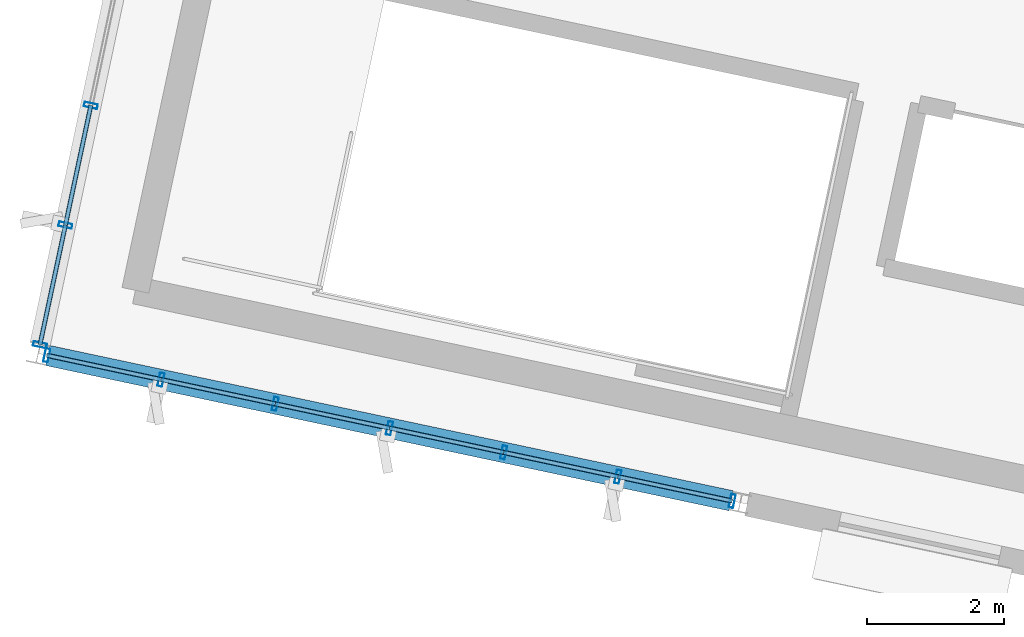
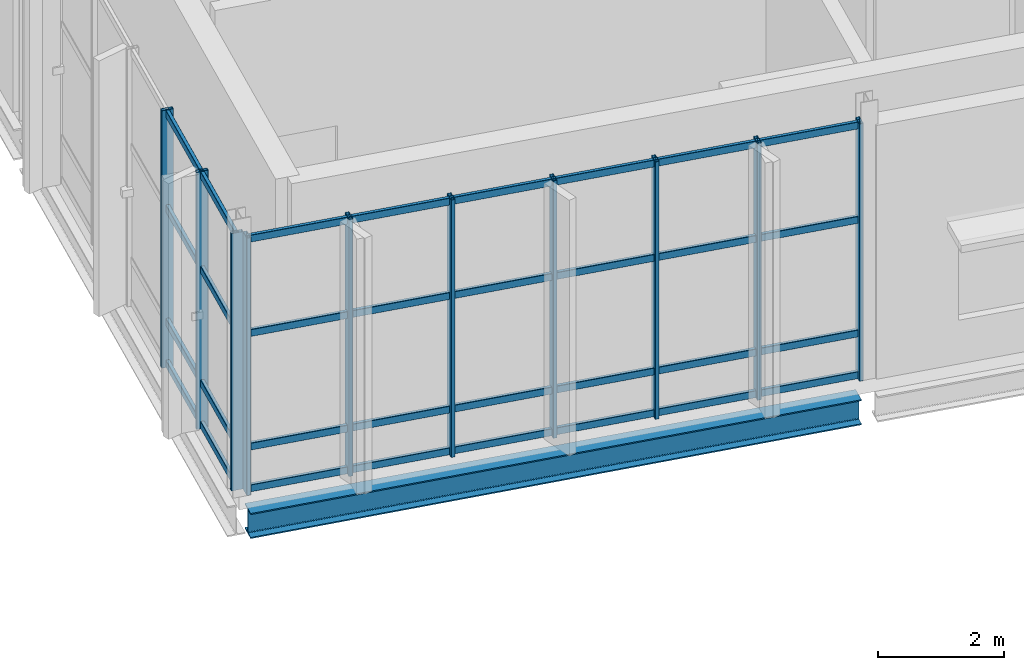
# One storey, part 21 of 176: 42 members, 1 beam, 2 elements without a shape of their own.
"""IFC4 building model written with IfcOpenShell, lengths in metres."""

from ifc_helpers import new_model, si_unit, direction, frame, origin, origin_2d, place, context, subcontext, project, spatial, hollow_rectangle, i_section, extrude, material, layer, layer_set, material_profile, profile_set, type_object, element, aggregate, save


model = new_model("IFC4")

# Units and contexts
model_context = context("Model", 3, precision=1e-05, world=origin(), true_north=direction((0.0, 1.0)))
body_context = subcontext(model_context, "Body", "Model", "MODEL_VIEW")
ifc_project = project(units=[si_unit("LENGTHUNIT", "METRE"), si_unit("AREAUNIT", "SQUARE_METRE"), si_unit("VOLUMEUNIT", "CUBIC_METRE"), si_unit("PLANEANGLEUNIT", "RADIAN"), si_unit("MASSUNIT", "GRAM", prefix="KILO")], contexts=[model_context])

# Site, building, storey
site_placement = place(None, origin())
site = spatial("IfcSite", under=ifc_project, at=site_placement, CompositionType="ELEMENT")
building_placement = place(site_placement, origin())
building = spatial("IfcBuilding", under=site, at=building_placement, Name="Khorjan Park Terminus", CompositionType="ELEMENT")
storey_placement = place(building_placement, frame((0.0, 0.0, 6.0)))
storey = spatial("IfcBuildingStorey", under=building, at=storey_placement, Name="L01", CompositionType="ELEMENT", Elevation=6.0)

# Beam
ifc_material_1 = material(Name="Steel S355", Category="steel")
ifc_material_profile_1 = material_profile(ifc_material_1, i_section(OverallWidth=0.3, OverallDepth=0.49, WebThickness=0.012, FlangeThickness=0.023, FilletRadius=0.027, at=origin_2d()), Name="HEA 500")
ifc_profile_set_1 = profile_set([ifc_material_profile_1], Name="Steel S355")
beam_type = type_object("IfcBeamType", Name="BM-HEA500", PredefinedType="BEAM", material=ifc_profile_set_1)
beam_placement = place(storey_placement, frame((-5.8582, 41.9699, -0.605), z_axis=(0.978146887948, -0.207915044185, 0.0), x_axis=(0.207915044185, 0.978146887948, 0.0)))
element("IfcBeam", 1, at=beam_placement, inside=storey, type_object=beam_type, Name="Primary skew-grid floor girder SB-A50 (L01)", PredefinedType="BEAM", context=body_context, shape_type="SweptSolid", body=[
    extrude(i_section(OverallWidth=0.3, OverallDepth=0.49, WebThickness=0.012, FlangeThickness=0.023, FilletRadius=0.027, at=origin_2d()), origin(), (0.0, 0.0, 1.0), 10.22),
])

# Curtain wall, members
ifc_material_2 = material(Name="Anodized Bronze Aluminium", Category="aluminium")
ifc_layer = layer(ifc_material_2, 0.22)
ifc_layer_set = layer_set([ifc_layer], Name="Anodized Bronze Aluminium")
curtain_wall_type = type_object("IfcCurtainWallType", Name="CW-PAV-C", PredefinedType="NOTDEFINED", material=ifc_layer_set)
curtain_wall_1_placement = place(storey_placement, origin())
curtain_wall_1 = element("IfcCurtainWall", 2, at=curtain_wall_1_placement, inside=storey, type_object=curtain_wall_type, Name="Unitized curtain wall CW-C (CW-V4-S-L01-B01)", PredefinedType="NOTDEFINED")
ifc_material_profile_2 = material_profile(ifc_material_2, hollow_rectangle(XDim=0.07, YDim=0.2, WallThickness=0.005, InnerFilletRadius=0.005, OuterFilletRadius=0.01, at=origin_2d()), Name="ALM 70x200x5")
ifc_profile_set_2 = profile_set([ifc_material_profile_2], Name="Anodized Bronze Aluminium")
member_type_1 = type_object("IfcMemberType", Name="ML-ALM-200", PredefinedType="MULLION", material=ifc_profile_set_2)
member_1_placement = place(storey_placement, frame((-5.8728, 41.973, -0.035), z_axis=(0.0, 0.0, 1.0), x_axis=(0.978147146591, -0.207913827382, 0.0)))
member_1 = element("IfcMember", 3, at=member_1_placement, type_object=member_type_1, Name="Curtain-wall mullion ML-20 (CW-V4-S-L01-B01-0)", PredefinedType="MULLION", context=body_context, shape_type="SweptSolid", body=[
    extrude(hollow_rectangle(XDim=0.07, YDim=0.2, WallThickness=0.005, InnerFilletRadius=0.005, OuterFilletRadius=0.01, at=origin_2d()), origin(), (0.0, 0.0, 1.0), 5.0),
])
member_2_placement = place(storey_placement, frame((-4.2017, 41.6178, -0.035), z_axis=(0.0, 0.0, 1.0), x_axis=(0.978147146591, -0.207913827382, 0.0)))
member_2 = element("IfcMember", 4, at=member_2_placement, type_object=member_type_1, Name="Curtain-wall mullion ML-20 (CW-V4-S-L01-B01-1)", PredefinedType="MULLION", context=body_context, shape_type="SweptSolid", body=[
    extrude(hollow_rectangle(XDim=0.07, YDim=0.2, WallThickness=0.005, InnerFilletRadius=0.005, OuterFilletRadius=0.01, at=origin_2d()), origin(), (0.0, 0.0, 1.0), 5.0),
])
member_3_placement = place(storey_placement, frame((-2.5307, 41.2626, -0.035), z_axis=(0.0, 0.0, 1.0), x_axis=(0.978147146591, -0.207913827382, 0.0)))
member_3 = element("IfcMember", 5, at=member_3_placement, type_object=member_type_1, Name="Curtain-wall mullion ML-20 (CW-V4-S-L01-B01-2)", PredefinedType="MULLION", context=body_context, shape_type="SweptSolid", body=[
    extrude(hollow_rectangle(XDim=0.07, YDim=0.2, WallThickness=0.005, InnerFilletRadius=0.005, OuterFilletRadius=0.01, at=origin_2d()), origin(), (0.0, 0.0, 1.0), 5.0),
])
member_4_placement = place(storey_placement, frame((-0.8596, 40.9074, -0.035), z_axis=(0.0, 0.0, 1.0), x_axis=(0.978147146591, -0.207913827382, 0.0)))
member_4 = element("IfcMember", 6, at=member_4_placement, type_object=member_type_1, Name="Curtain-wall mullion ML-20 (CW-V4-S-L01-B01-3)", PredefinedType="MULLION", context=body_context, shape_type="SweptSolid", body=[
    extrude(hollow_rectangle(XDim=0.07, YDim=0.2, WallThickness=0.005, InnerFilletRadius=0.005, OuterFilletRadius=0.01, at=origin_2d()), origin(), (0.0, 0.0, 1.0), 5.0),
])
member_5_placement = place(storey_placement, frame((0.8115, 40.5522, -0.035), z_axis=(0.0, 0.0, 1.0), x_axis=(0.978147146591, -0.207913827382, 0.0)))
member_5 = element("IfcMember", 7, at=member_5_placement, type_object=member_type_1, Name="Curtain-wall mullion ML-20 (CW-V4-S-L01-B01-4)", PredefinedType="MULLION", context=body_context, shape_type="SweptSolid", body=[
    extrude(hollow_rectangle(XDim=0.07, YDim=0.2, WallThickness=0.005, InnerFilletRadius=0.005, OuterFilletRadius=0.01, at=origin_2d()), origin(), (0.0, 0.0, 1.0), 5.0),
])
member_6_placement = place(storey_placement, frame((2.4825, 40.197, -0.035), z_axis=(0.0, 0.0, 1.0), x_axis=(0.978147146591, -0.207913827382, 0.0)))
member_6 = element("IfcMember", 8, at=member_6_placement, type_object=member_type_1, Name="Curtain-wall mullion ML-20 (CW-V4-S-L01-B01-5)", PredefinedType="MULLION", context=body_context, shape_type="SweptSolid", body=[
    extrude(hollow_rectangle(XDim=0.07, YDim=0.2, WallThickness=0.005, InnerFilletRadius=0.005, OuterFilletRadius=0.01, at=origin_2d()), origin(), (0.0, 0.0, 1.0), 5.0),
])
member_7_placement = place(storey_placement, frame((4.1536, 39.8418, -0.035), z_axis=(0.0, 0.0, 1.0), x_axis=(0.978147146591, -0.207913827382, 0.0)))
member_7 = element("IfcMember", 9, at=member_7_placement, type_object=member_type_1, Name="Curtain-wall mullion ML-20 (CW-V4-S-L01-B01-6)", PredefinedType="MULLION", context=body_context, shape_type="SweptSolid", body=[
    extrude(hollow_rectangle(XDim=0.07, YDim=0.2, WallThickness=0.005, InnerFilletRadius=0.005, OuterFilletRadius=0.01, at=origin_2d()), origin(), (0.0, 0.0, 1.0), 5.0),
])

curtain_wall_2_placement = place(storey_placement, origin())
curtain_wall_2 = element("IfcCurtainWall", 10, at=curtain_wall_2_placement, inside=storey, type_object=curtain_wall_type, Name="Unitized curtain wall CW-C (CW-V4-W-L01-B03)", PredefinedType="NOTDEFINED")
member_8_placement = place(storey_placement, frame((-5.2286, 45.6291, -0.035), z_axis=(0.0, 0.0, 1.0), x_axis=(-0.207917551169, -0.978146355059, 0.0)))
member_8 = element("IfcMember", 11, at=member_8_placement, type_object=member_type_1, Name="Curtain-wall mullion ML-20 (CW-V4-W-L01-B03-4)", PredefinedType="MULLION", context=body_context, shape_type="SweptSolid", body=[
    extrude(hollow_rectangle(XDim=0.07, YDim=0.2, WallThickness=0.005, InnerFilletRadius=0.005, OuterFilletRadius=0.01, at=origin_2d()), origin(), (0.0, 0.0, 1.0), 5.0),
])
member_9_placement = place(storey_placement, frame((-5.6008, 43.8781, -0.035), z_axis=(0.0, 0.0, 1.0), x_axis=(-0.207917551169, -0.978146355059, 0.0)))
member_9 = element("IfcMember", 12, at=member_9_placement, type_object=member_type_1, Name="Curtain-wall mullion ML-20 (CW-V4-W-L01-B03-5)", PredefinedType="MULLION", context=body_context, shape_type="SweptSolid", body=[
    extrude(hollow_rectangle(XDim=0.07, YDim=0.2, WallThickness=0.005, InnerFilletRadius=0.005, OuterFilletRadius=0.01, at=origin_2d()), origin(), (0.0, 0.0, 1.0), 5.0),
])
member_10_placement = place(storey_placement, frame((-5.973, 42.1272, -0.035), z_axis=(0.0, 0.0, 1.0), x_axis=(-0.207917551169, -0.978146355059, 0.0)))
member_10 = element("IfcMember", 13, at=member_10_placement, type_object=member_type_1, Name="Curtain-wall mullion ML-20 (CW-V4-W-L01-B03-6)", PredefinedType="MULLION", context=body_context, shape_type="SweptSolid", body=[
    extrude(hollow_rectangle(XDim=0.07, YDim=0.2, WallThickness=0.005, InnerFilletRadius=0.005, OuterFilletRadius=0.01, at=origin_2d()), origin(), (0.0, 0.0, 1.0), 5.0),
])

# Member
ifc_material_profile_3 = material_profile(ifc_material_2, hollow_rectangle(XDim=0.065, YDim=0.14, WallThickness=0.004, InnerFilletRadius=0.004, OuterFilletRadius=0.008, at=origin_2d()), Name="ALT 65x140x4")
ifc_profile_set_3 = profile_set([ifc_material_profile_3], Name="Anodized Bronze Aluminium")
member_type_2 = type_object("IfcMemberType", Name="TR-ALT-140", PredefinedType="USERDEFINED", material=ifc_profile_set_3)
member_11_placement = place(storey_placement, frame((-5.8728, 41.973, 0.04), z_axis=(0.978147990011, -0.207909859405, 0.0), x_axis=(0.207909859405, 0.978147990011, 0.0)))
member_11 = element("IfcMember", 14, at=member_11_placement, type_object=member_type_2, Name="Curtain-wall transom TR-14 (CW-V4-S-L01-B01-0-1)", ObjectType="TRANSOM", PredefinedType="USERDEFINED", context=body_context, shape_type="SweptSolid", body=[
    extrude(hollow_rectangle(XDim=0.065, YDim=0.14, WallThickness=0.004, InnerFilletRadius=0.004, OuterFilletRadius=0.008, at=origin_2d()), origin(), (0.0, 0.0, 1.0), 1.7084),
])

member_12_placement = place(storey_placement, frame((-5.8728, 41.973, 0.85), z_axis=(0.978147990011, -0.207909859405, 0.0), x_axis=(0.207909859405, 0.978147990011, 0.0)))
member_12 = element("IfcMember", 15, at=member_12_placement, type_object=member_type_2, Name="Curtain-wall transom TR-14 (CW-V4-S-L01-B01-0-2)", ObjectType="TRANSOM", PredefinedType="USERDEFINED", context=body_context, shape_type="SweptSolid", body=[
    extrude(hollow_rectangle(XDim=0.065, YDim=0.14, WallThickness=0.004, InnerFilletRadius=0.004, OuterFilletRadius=0.008, at=origin_2d()), origin(), (0.0, 0.0, 1.0), 1.7084),
])

member_13_placement = place(storey_placement, frame((-5.8728, 41.973, 3.0566), z_axis=(0.978147990011, -0.207909859405, 0.0), x_axis=(0.207909859405, 0.978147990011, 0.0)))
member_13 = element("IfcMember", 16, at=member_13_placement, type_object=member_type_2, Name="Curtain-wall transom TR-14 (CW-V4-S-L01-B01-0-3)", ObjectType="TRANSOM", PredefinedType="USERDEFINED", context=body_context, shape_type="SweptSolid", body=[
    extrude(hollow_rectangle(XDim=0.065, YDim=0.14, WallThickness=0.004, InnerFilletRadius=0.004, OuterFilletRadius=0.008, at=origin_2d()), origin(), (0.0, 0.0, 1.0), 1.7084),
])

member_14_placement = place(storey_placement, frame((-5.8728, 41.973, 4.89), z_axis=(0.978147990011, -0.207909859405, 0.0), x_axis=(0.207909859405, 0.978147990011, 0.0)))
member_14 = element("IfcMember", 17, at=member_14_placement, type_object=member_type_2, Name="Curtain-wall transom TR-14 (CW-V4-S-L01-B01-0-4)", ObjectType="TRANSOM", PredefinedType="USERDEFINED", context=body_context, shape_type="SweptSolid", body=[
    extrude(hollow_rectangle(XDim=0.065, YDim=0.14, WallThickness=0.004, InnerFilletRadius=0.004, OuterFilletRadius=0.008, at=origin_2d()), origin(), (0.0, 0.0, 1.0), 1.7084),
])

member_15_placement = place(storey_placement, frame((-4.2017, 41.6178, 0.04), z_axis=(0.978145459608, -0.207921763766, 0.0), x_axis=(0.207921763766, 0.978145459608, 0.0)))
member_15 = element("IfcMember", 18, at=member_15_placement, type_object=member_type_2, Name="Curtain-wall transom TR-14 (CW-V4-S-L01-B01-1-1)", ObjectType="TRANSOM", PredefinedType="USERDEFINED", context=body_context, shape_type="SweptSolid", body=[
    extrude(hollow_rectangle(XDim=0.065, YDim=0.14, WallThickness=0.004, InnerFilletRadius=0.004, OuterFilletRadius=0.008, at=origin_2d()), origin(), (0.0, 0.0, 1.0), 1.7083),
])

member_16_placement = place(storey_placement, frame((-4.2017, 41.6178, 0.85), z_axis=(0.978145459608, -0.207921763766, 0.0), x_axis=(0.207921763766, 0.978145459608, 0.0)))
member_16 = element("IfcMember", 19, at=member_16_placement, type_object=member_type_2, Name="Curtain-wall transom TR-14 (CW-V4-S-L01-B01-1-2)", ObjectType="TRANSOM", PredefinedType="USERDEFINED", context=body_context, shape_type="SweptSolid", body=[
    extrude(hollow_rectangle(XDim=0.065, YDim=0.14, WallThickness=0.004, InnerFilletRadius=0.004, OuterFilletRadius=0.008, at=origin_2d()), origin(), (0.0, 0.0, 1.0), 1.7083),
])

member_17_placement = place(storey_placement, frame((-4.2017, 41.6178, 3.0566), z_axis=(0.978145459608, -0.207921763766, 0.0), x_axis=(0.207921763766, 0.978145459608, 0.0)))
member_17 = element("IfcMember", 20, at=member_17_placement, type_object=member_type_2, Name="Curtain-wall transom TR-14 (CW-V4-S-L01-B01-1-3)", ObjectType="TRANSOM", PredefinedType="USERDEFINED", context=body_context, shape_type="SweptSolid", body=[
    extrude(hollow_rectangle(XDim=0.065, YDim=0.14, WallThickness=0.004, InnerFilletRadius=0.004, OuterFilletRadius=0.008, at=origin_2d()), origin(), (0.0, 0.0, 1.0), 1.7083),
])

member_18_placement = place(storey_placement, frame((-4.2017, 41.6178, 4.89), z_axis=(0.978145459608, -0.207921763766, 0.0), x_axis=(0.207921763766, 0.978145459608, 0.0)))
member_18 = element("IfcMember", 21, at=member_18_placement, type_object=member_type_2, Name="Curtain-wall transom TR-14 (CW-V4-S-L01-B01-1-4)", ObjectType="TRANSOM", PredefinedType="USERDEFINED", context=body_context, shape_type="SweptSolid", body=[
    extrude(hollow_rectangle(XDim=0.065, YDim=0.14, WallThickness=0.004, InnerFilletRadius=0.004, OuterFilletRadius=0.008, at=origin_2d()), origin(), (0.0, 0.0, 1.0), 1.7083),
])

member_19_placement = place(storey_placement, frame((-2.5307, 41.2626, 0.04), z_axis=(0.978147990011, -0.207909859405, 0.0), x_axis=(0.207909859405, 0.978147990011, 0.0)))
member_19 = element("IfcMember", 22, at=member_19_placement, type_object=member_type_2, Name="Curtain-wall transom TR-14 (CW-V4-S-L01-B01-2-1)", ObjectType="TRANSOM", PredefinedType="USERDEFINED", context=body_context, shape_type="SweptSolid", body=[
    extrude(hollow_rectangle(XDim=0.065, YDim=0.14, WallThickness=0.004, InnerFilletRadius=0.004, OuterFilletRadius=0.008, at=origin_2d()), origin(), (0.0, 0.0, 1.0), 1.7084),
])

member_20_placement = place(storey_placement, frame((-2.5307, 41.2626, 0.85), z_axis=(0.978147990011, -0.207909859405, 0.0), x_axis=(0.207909859405, 0.978147990011, 0.0)))
member_20 = element("IfcMember", 23, at=member_20_placement, type_object=member_type_2, Name="Curtain-wall transom TR-14 (CW-V4-S-L01-B01-2-2)", ObjectType="TRANSOM", PredefinedType="USERDEFINED", context=body_context, shape_type="SweptSolid", body=[
    extrude(hollow_rectangle(XDim=0.065, YDim=0.14, WallThickness=0.004, InnerFilletRadius=0.004, OuterFilletRadius=0.008, at=origin_2d()), origin(), (0.0, 0.0, 1.0), 1.7084),
])

member_21_placement = place(storey_placement, frame((-2.5307, 41.2626, 3.0566), z_axis=(0.978147990011, -0.207909859405, 0.0), x_axis=(0.207909859405, 0.978147990011, 0.0)))
member_21 = element("IfcMember", 24, at=member_21_placement, type_object=member_type_2, Name="Curtain-wall transom TR-14 (CW-V4-S-L01-B01-2-3)", ObjectType="TRANSOM", PredefinedType="USERDEFINED", context=body_context, shape_type="SweptSolid", body=[
    extrude(hollow_rectangle(XDim=0.065, YDim=0.14, WallThickness=0.004, InnerFilletRadius=0.004, OuterFilletRadius=0.008, at=origin_2d()), origin(), (0.0, 0.0, 1.0), 1.7084),
])

member_22_placement = place(storey_placement, frame((-2.5307, 41.2626, 4.89), z_axis=(0.978147990011, -0.207909859405, 0.0), x_axis=(0.207909859405, 0.978147990011, 0.0)))
member_22 = element("IfcMember", 25, at=member_22_placement, type_object=member_type_2, Name="Curtain-wall transom TR-14 (CW-V4-S-L01-B01-2-4)", ObjectType="TRANSOM", PredefinedType="USERDEFINED", context=body_context, shape_type="SweptSolid", body=[
    extrude(hollow_rectangle(XDim=0.065, YDim=0.14, WallThickness=0.004, InnerFilletRadius=0.004, OuterFilletRadius=0.008, at=origin_2d()), origin(), (0.0, 0.0, 1.0), 1.7084),
])

member_23_placement = place(storey_placement, frame((-0.8596, 40.9074, 0.04), z_axis=(0.978147990011, -0.207909859405, 0.0), x_axis=(0.207909859405, 0.978147990011, 0.0)))
member_23 = element("IfcMember", 26, at=member_23_placement, type_object=member_type_2, Name="Curtain-wall transom TR-14 (CW-V4-S-L01-B01-3-1)", ObjectType="TRANSOM", PredefinedType="USERDEFINED", context=body_context, shape_type="SweptSolid", body=[
    extrude(hollow_rectangle(XDim=0.065, YDim=0.14, WallThickness=0.004, InnerFilletRadius=0.004, OuterFilletRadius=0.008, at=origin_2d()), origin(), (0.0, 0.0, 1.0), 1.7084),
])

member_24_placement = place(storey_placement, frame((-0.8596, 40.9074, 0.85), z_axis=(0.978147990011, -0.207909859405, 0.0), x_axis=(0.207909859405, 0.978147990011, 0.0)))
member_24 = element("IfcMember", 27, at=member_24_placement, type_object=member_type_2, Name="Curtain-wall transom TR-14 (CW-V4-S-L01-B01-3-2)", ObjectType="TRANSOM", PredefinedType="USERDEFINED", context=body_context, shape_type="SweptSolid", body=[
    extrude(hollow_rectangle(XDim=0.065, YDim=0.14, WallThickness=0.004, InnerFilletRadius=0.004, OuterFilletRadius=0.008, at=origin_2d()), origin(), (0.0, 0.0, 1.0), 1.7084),
])

member_25_placement = place(storey_placement, frame((-0.8596, 40.9074, 3.0566), z_axis=(0.978147990011, -0.207909859405, 0.0), x_axis=(0.207909859405, 0.978147990011, 0.0)))
member_25 = element("IfcMember", 28, at=member_25_placement, type_object=member_type_2, Name="Curtain-wall transom TR-14 (CW-V4-S-L01-B01-3-3)", ObjectType="TRANSOM", PredefinedType="USERDEFINED", context=body_context, shape_type="SweptSolid", body=[
    extrude(hollow_rectangle(XDim=0.065, YDim=0.14, WallThickness=0.004, InnerFilletRadius=0.004, OuterFilletRadius=0.008, at=origin_2d()), origin(), (0.0, 0.0, 1.0), 1.7084),
])

member_26_placement = place(storey_placement, frame((-0.8596, 40.9074, 4.89), z_axis=(0.978147990011, -0.207909859405, 0.0), x_axis=(0.207909859405, 0.978147990011, 0.0)))
member_26 = element("IfcMember", 29, at=member_26_placement, type_object=member_type_2, Name="Curtain-wall transom TR-14 (CW-V4-S-L01-B01-3-4)", ObjectType="TRANSOM", PredefinedType="USERDEFINED", context=body_context, shape_type="SweptSolid", body=[
    extrude(hollow_rectangle(XDim=0.065, YDim=0.14, WallThickness=0.004, InnerFilletRadius=0.004, OuterFilletRadius=0.008, at=origin_2d()), origin(), (0.0, 0.0, 1.0), 1.7084),
])

member_27_placement = place(storey_placement, frame((0.8115, 40.5522, 0.04), z_axis=(0.978145459608, -0.207921763766, 0.0), x_axis=(0.207921763766, 0.978145459608, 0.0)))
member_27 = element("IfcMember", 30, at=member_27_placement, type_object=member_type_2, Name="Curtain-wall transom TR-14 (CW-V4-S-L01-B01-4-1)", ObjectType="TRANSOM", PredefinedType="USERDEFINED", context=body_context, shape_type="SweptSolid", body=[
    extrude(hollow_rectangle(XDim=0.065, YDim=0.14, WallThickness=0.004, InnerFilletRadius=0.004, OuterFilletRadius=0.008, at=origin_2d()), origin(), (0.0, 0.0, 1.0), 1.7083),
])

member_28_placement = place(storey_placement, frame((0.8115, 40.5522, 0.85), z_axis=(0.978145459608, -0.207921763766, 0.0), x_axis=(0.207921763766, 0.978145459608, 0.0)))
member_28 = element("IfcMember", 31, at=member_28_placement, type_object=member_type_2, Name="Curtain-wall transom TR-14 (CW-V4-S-L01-B01-4-2)", ObjectType="TRANSOM", PredefinedType="USERDEFINED", context=body_context, shape_type="SweptSolid", body=[
    extrude(hollow_rectangle(XDim=0.065, YDim=0.14, WallThickness=0.004, InnerFilletRadius=0.004, OuterFilletRadius=0.008, at=origin_2d()), origin(), (0.0, 0.0, 1.0), 1.7083),
])

member_29_placement = place(storey_placement, frame((0.8115, 40.5522, 3.0566), z_axis=(0.978145459608, -0.207921763766, 0.0), x_axis=(0.207921763766, 0.978145459608, 0.0)))
member_29 = element("IfcMember", 32, at=member_29_placement, type_object=member_type_2, Name="Curtain-wall transom TR-14 (CW-V4-S-L01-B01-4-3)", ObjectType="TRANSOM", PredefinedType="USERDEFINED", context=body_context, shape_type="SweptSolid", body=[
    extrude(hollow_rectangle(XDim=0.065, YDim=0.14, WallThickness=0.004, InnerFilletRadius=0.004, OuterFilletRadius=0.008, at=origin_2d()), origin(), (0.0, 0.0, 1.0), 1.7083),
])

member_30_placement = place(storey_placement, frame((0.8115, 40.5522, 4.89), z_axis=(0.978145459608, -0.207921763766, 0.0), x_axis=(0.207921763766, 0.978145459608, 0.0)))
member_30 = element("IfcMember", 33, at=member_30_placement, type_object=member_type_2, Name="Curtain-wall transom TR-14 (CW-V4-S-L01-B01-4-4)", ObjectType="TRANSOM", PredefinedType="USERDEFINED", context=body_context, shape_type="SweptSolid", body=[
    extrude(hollow_rectangle(XDim=0.065, YDim=0.14, WallThickness=0.004, InnerFilletRadius=0.004, OuterFilletRadius=0.008, at=origin_2d()), origin(), (0.0, 0.0, 1.0), 1.7083),
])

member_31_placement = place(storey_placement, frame((2.4825, 40.197, 0.04), z_axis=(0.978147990011, -0.207909859405, 0.0), x_axis=(0.207909859405, 0.978147990011, 0.0)))
member_31 = element("IfcMember", 34, at=member_31_placement, type_object=member_type_2, Name="Curtain-wall transom TR-14 (CW-V4-S-L01-B01-5-1)", ObjectType="TRANSOM", PredefinedType="USERDEFINED", context=body_context, shape_type="SweptSolid", body=[
    extrude(hollow_rectangle(XDim=0.065, YDim=0.14, WallThickness=0.004, InnerFilletRadius=0.004, OuterFilletRadius=0.008, at=origin_2d()), origin(), (0.0, 0.0, 1.0), 1.7084),
])

member_32_placement = place(storey_placement, frame((2.4825, 40.197, 0.85), z_axis=(0.978147990011, -0.207909859405, 0.0), x_axis=(0.207909859405, 0.978147990011, 0.0)))
member_32 = element("IfcMember", 35, at=member_32_placement, type_object=member_type_2, Name="Curtain-wall transom TR-14 (CW-V4-S-L01-B01-5-2)", ObjectType="TRANSOM", PredefinedType="USERDEFINED", context=body_context, shape_type="SweptSolid", body=[
    extrude(hollow_rectangle(XDim=0.065, YDim=0.14, WallThickness=0.004, InnerFilletRadius=0.004, OuterFilletRadius=0.008, at=origin_2d()), origin(), (0.0, 0.0, 1.0), 1.7084),
])

member_33_placement = place(storey_placement, frame((2.4825, 40.197, 3.0566), z_axis=(0.978147990011, -0.207909859405, 0.0), x_axis=(0.207909859405, 0.978147990011, 0.0)))
member_33 = element("IfcMember", 36, at=member_33_placement, type_object=member_type_2, Name="Curtain-wall transom TR-14 (CW-V4-S-L01-B01-5-3)", ObjectType="TRANSOM", PredefinedType="USERDEFINED", context=body_context, shape_type="SweptSolid", body=[
    extrude(hollow_rectangle(XDim=0.065, YDim=0.14, WallThickness=0.004, InnerFilletRadius=0.004, OuterFilletRadius=0.008, at=origin_2d()), origin(), (0.0, 0.0, 1.0), 1.7084),
])

member_34_placement = place(storey_placement, frame((2.4825, 40.197, 4.89), z_axis=(0.978147990011, -0.207909859405, 0.0), x_axis=(0.207909859405, 0.978147990011, 0.0)))
member_34 = element("IfcMember", 37, at=member_34_placement, type_object=member_type_2, Name="Curtain-wall transom TR-14 (CW-V4-S-L01-B01-5-4)", ObjectType="TRANSOM", PredefinedType="USERDEFINED", context=body_context, shape_type="SweptSolid", body=[
    extrude(hollow_rectangle(XDim=0.065, YDim=0.14, WallThickness=0.004, InnerFilletRadius=0.004, OuterFilletRadius=0.008, at=origin_2d()), origin(), (0.0, 0.0, 1.0), 1.7084),
])

aggregate(curtain_wall_1, [member_1, member_2, member_3, member_4, member_5, member_6, member_7, member_11, member_12, member_13, member_14, member_15, member_16, member_17, member_18, member_19, member_20, member_21, member_22, member_23, member_24, member_25, member_26, member_27, member_28, member_29, member_30, member_31, member_32, member_33, member_34])

member_35_placement = place(storey_placement, frame((-5.2286, 45.6291, 0.04), z_axis=(-0.207918885104, -0.978146071513, 0.0), x_axis=(0.978146071513, -0.207918885104, 0.0)))
member_35 = element("IfcMember", 38, at=member_35_placement, type_object=member_type_2, Name="Curtain-wall transom TR-14 (CW-V4-W-L01-B03-4-1)", ObjectType="TRANSOM", PredefinedType="USERDEFINED", context=body_context, shape_type="SweptSolid", body=[
    extrude(hollow_rectangle(XDim=0.065, YDim=0.14, WallThickness=0.004, InnerFilletRadius=0.004, OuterFilletRadius=0.008, at=origin_2d()), origin(), (0.0, 0.0, 1.0), 1.7901),
])

member_36_placement = place(storey_placement, frame((-5.2286, 45.6291, 0.85), z_axis=(-0.207918885104, -0.978146071513, 0.0), x_axis=(0.978146071513, -0.207918885104, 0.0)))
member_36 = element("IfcMember", 39, at=member_36_placement, type_object=member_type_2, Name="Curtain-wall transom TR-14 (CW-V4-W-L01-B03-4-2)", ObjectType="TRANSOM", PredefinedType="USERDEFINED", context=body_context, shape_type="SweptSolid", body=[
    extrude(hollow_rectangle(XDim=0.065, YDim=0.14, WallThickness=0.004, InnerFilletRadius=0.004, OuterFilletRadius=0.008, at=origin_2d()), origin(), (0.0, 0.0, 1.0), 1.7901),
])

member_37_placement = place(storey_placement, frame((-5.2286, 45.6291, 3.0566), z_axis=(-0.207918885104, -0.978146071513, 0.0), x_axis=(0.978146071513, -0.207918885104, 0.0)))
member_37 = element("IfcMember", 40, at=member_37_placement, type_object=member_type_2, Name="Curtain-wall transom TR-14 (CW-V4-W-L01-B03-4-3)", ObjectType="TRANSOM", PredefinedType="USERDEFINED", context=body_context, shape_type="SweptSolid", body=[
    extrude(hollow_rectangle(XDim=0.065, YDim=0.14, WallThickness=0.004, InnerFilletRadius=0.004, OuterFilletRadius=0.008, at=origin_2d()), origin(), (0.0, 0.0, 1.0), 1.7901),
])

member_38_placement = place(storey_placement, frame((-5.2286, 45.6291, 4.89), z_axis=(-0.207918885104, -0.978146071513, 0.0), x_axis=(0.978146071513, -0.207918885104, 0.0)))
member_38 = element("IfcMember", 41, at=member_38_placement, type_object=member_type_2, Name="Curtain-wall transom TR-14 (CW-V4-W-L01-B03-4-4)", ObjectType="TRANSOM", PredefinedType="USERDEFINED", context=body_context, shape_type="SweptSolid", body=[
    extrude(hollow_rectangle(XDim=0.065, YDim=0.14, WallThickness=0.004, InnerFilletRadius=0.004, OuterFilletRadius=0.008, at=origin_2d()), origin(), (0.0, 0.0, 1.0), 1.7901),
])

member_39_placement = place(storey_placement, frame((-5.6008, 43.8781, 0.04), z_axis=(-0.207930246676, -0.97814365638, 0.0), x_axis=(0.97814365638, -0.207930246676, 0.0)))
member_39 = element("IfcMember", 42, at=member_39_placement, type_object=member_type_2, Name="Curtain-wall transom TR-14 (CW-V4-W-L01-B03-5-1)", ObjectType="TRANSOM", PredefinedType="USERDEFINED", context=body_context, shape_type="SweptSolid", body=[
    extrude(hollow_rectangle(XDim=0.065, YDim=0.14, WallThickness=0.004, InnerFilletRadius=0.004, OuterFilletRadius=0.008, at=origin_2d()), origin(), (0.0, 0.0, 1.0), 1.79),
])

member_40_placement = place(storey_placement, frame((-5.6008, 43.8781, 0.85), z_axis=(-0.207930246676, -0.97814365638, 0.0), x_axis=(0.97814365638, -0.207930246676, 0.0)))
member_40 = element("IfcMember", 43, at=member_40_placement, type_object=member_type_2, Name="Curtain-wall transom TR-14 (CW-V4-W-L01-B03-5-2)", ObjectType="TRANSOM", PredefinedType="USERDEFINED", context=body_context, shape_type="SweptSolid", body=[
    extrude(hollow_rectangle(XDim=0.065, YDim=0.14, WallThickness=0.004, InnerFilletRadius=0.004, OuterFilletRadius=0.008, at=origin_2d()), origin(), (0.0, 0.0, 1.0), 1.79),
])

member_41_placement = place(storey_placement, frame((-5.6008, 43.8781, 3.0566), z_axis=(-0.207930246676, -0.97814365638, 0.0), x_axis=(0.97814365638, -0.207930246676, 0.0)))
member_41 = element("IfcMember", 44, at=member_41_placement, type_object=member_type_2, Name="Curtain-wall transom TR-14 (CW-V4-W-L01-B03-5-3)", ObjectType="TRANSOM", PredefinedType="USERDEFINED", context=body_context, shape_type="SweptSolid", body=[
    extrude(hollow_rectangle(XDim=0.065, YDim=0.14, WallThickness=0.004, InnerFilletRadius=0.004, OuterFilletRadius=0.008, at=origin_2d()), origin(), (0.0, 0.0, 1.0), 1.79),
])

member_42_placement = place(storey_placement, frame((-5.6008, 43.8781, 4.89), z_axis=(-0.207930246676, -0.97814365638, 0.0), x_axis=(0.97814365638, -0.207930246676, 0.0)))
member_42 = element("IfcMember", 45, at=member_42_placement, type_object=member_type_2, Name="Curtain-wall transom TR-14 (CW-V4-W-L01-B03-5-4)", ObjectType="TRANSOM", PredefinedType="USERDEFINED", context=body_context, shape_type="SweptSolid", body=[
    extrude(hollow_rectangle(XDim=0.065, YDim=0.14, WallThickness=0.004, InnerFilletRadius=0.004, OuterFilletRadius=0.008, at=origin_2d()), origin(), (0.0, 0.0, 1.0), 1.79),
])

aggregate(curtain_wall_2, [member_8, member_9, member_10, member_35, member_36, member_37, member_38, member_39, member_40, member_41, member_42])

save(model, "model.ifc")
